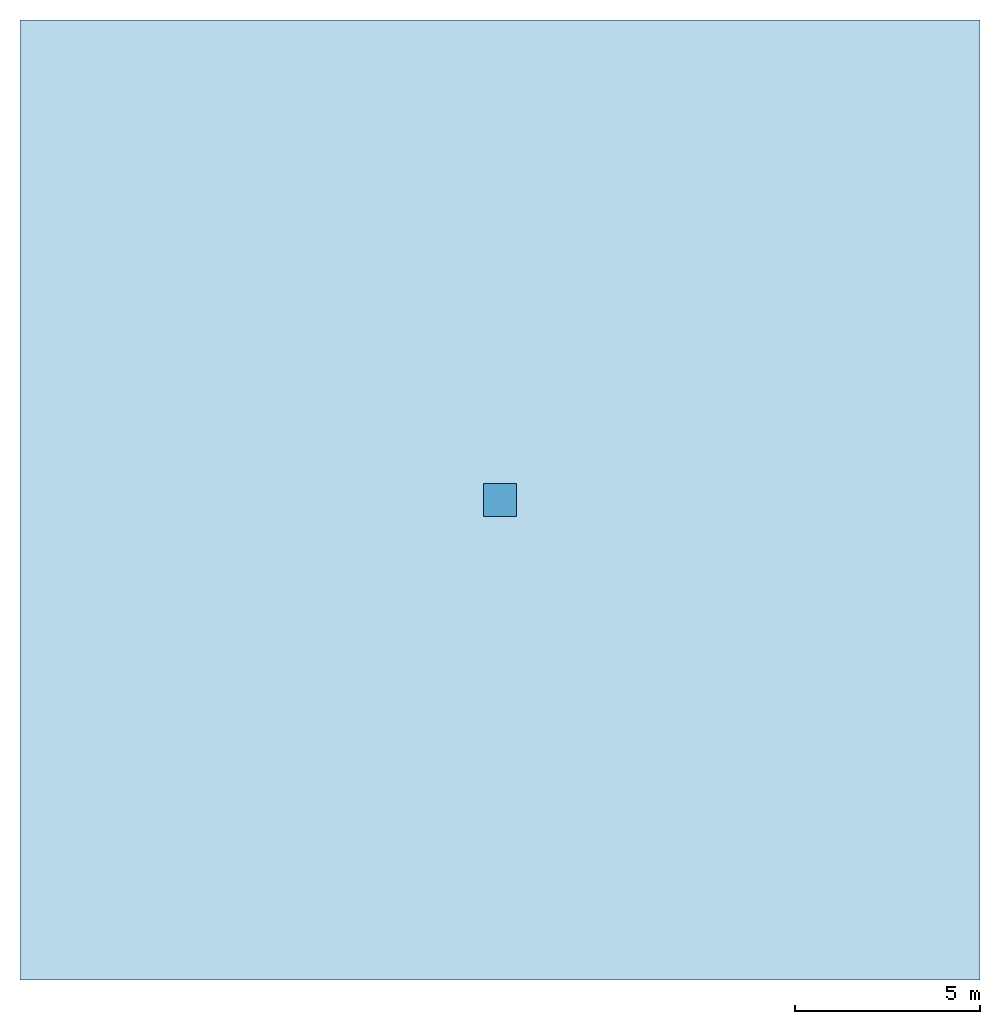
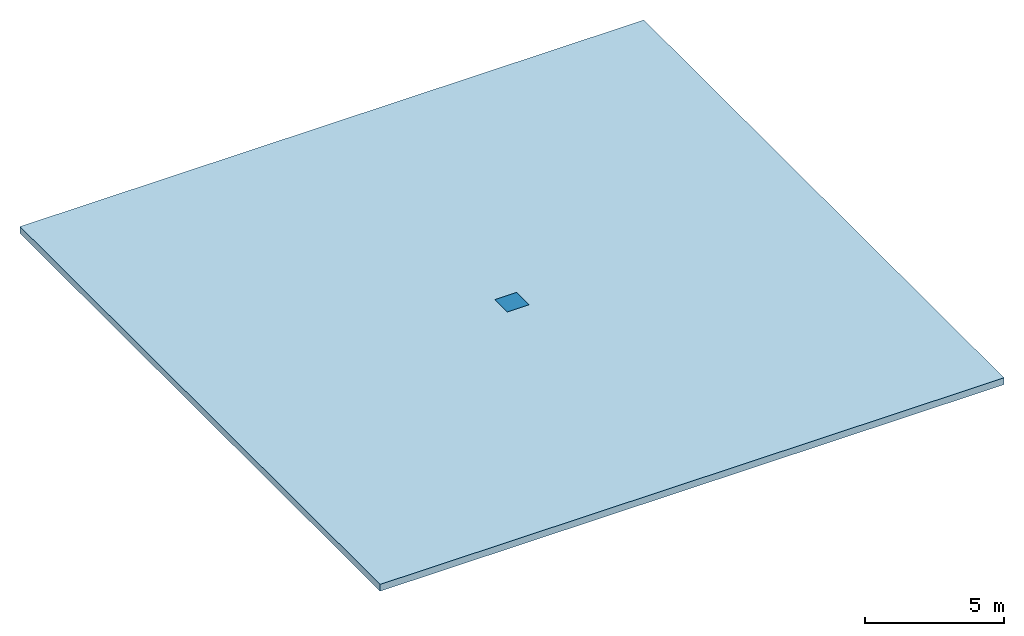
"""IFC4 building model written with IfcOpenShell, lengths in metres."""

from ifc_helpers import new_model, si_unit, direction, frame, origin, origin_2d, place, context, subcontext, project, spatial, polyline, rectangle, outline, extrude, material, layer, layer_set, type_object, element, fill, save


model = new_model("IFC4")

# Units and contexts
model_context = context("Model", 3, precision=1e-05, world=origin(), true_north=direction((0.0, 1.0)))
body_context = subcontext(model_context, "Body", "Model", "MODEL_VIEW")
ifc_project = project(units=[si_unit("LENGTHUNIT", "METRE"), si_unit("AREAUNIT", "SQUARE_METRE"), si_unit("VOLUMEUNIT", "CUBIC_METRE"), si_unit("PLANEANGLEUNIT", "RADIAN"), si_unit("MASSUNIT", "GRAM", prefix="KILO")], contexts=[model_context])

# Site, building, storey
site_placement = place(None, origin())
site = spatial("IfcSite", under=ifc_project, at=site_placement, CompositionType="ELEMENT")
building_placement = place(site_placement, origin())
building = spatial("IfcBuilding", under=site, at=building_placement, Name="Rekha Terrace Tower", CompositionType="ELEMENT")
storey_1_placement = place(building_placement, frame((0.0, 0.0, 302.449951171875)))
storey_1 = spatial("IfcBuildingStorey", under=building, at=storey_1_placement, Name="ROOF", CompositionType="ELEMENT", Elevation=302.449951171875)

# Slab, opening
ifc_material_1 = material(Name="Concrete M50", Category="concrete")
ifc_layer = layer(ifc_material_1, 0.300048828125)
ifc_layer_set = layer_set([ifc_layer], Name="Concrete M50")
slab_type = type_object("IfcSlabType", Name="CR1 300 crown roof slab", PredefinedType="ROOF", material=ifc_layer_set)
slab_placement = place(storey_1_placement, origin())
slab = element("IfcSlab", 1, at=slab_placement, inside=storey_1, type_object=slab_type, Name="Crown roof slab", PredefinedType="ROOF", context=body_context, shape_type="SweptSolid", body=[
    extrude(outline(polyline([(50.800048828125, 20.60009765625), (50.800048828125, 46.60009765625), (24.800048828125, 46.60009765625), (24.800048828125, 20.60009765625), (50.800048828125, 20.60009765625)])), origin(), (0.0, 0.0, 1.0), 0.300048828125),
])
opening_placement = place(slab_placement, frame((37.800048828125, 33.60009765625, 0.0)))
opening = element("IfcOpeningElement", 2, at=opening_placement, cuts=slab, Name="Opening RH1", PredefinedType="OPENING", context=body_context, shape_type="SweptSolid", body=[
    extrude(rectangle(XDim=0.89990234375, YDim=0.89990234375, at=origin_2d()), origin(), (0.0, 0.0, 1.0), 0.300048828125),
])

# Storey
storey_2_placement = place(building_placement, frame((0.0, 0.0, 296.75)))
storey_2 = spatial("IfcBuildingStorey", under=building, at=storey_2_placement, Name="L75", CompositionType="ELEMENT", Elevation=296.75)

# Discrete accessory
ifc_material_2 = material(Name="Insulated aluminium hatch", Category="aluminium")
discrete_accessory_type = type_object("IfcDiscreteAccessoryType", Name="RH1 900x900 roof access hatch", PredefinedType="USERDEFINED", material=ifc_material_2)
discrete_accessory_placement = place(opening_placement, frame((0.0, 0.0, 0.25)))
discrete_accessory = element("IfcDiscreteAccessory", 3, at=discrete_accessory_placement, inside=storey_2, type_object=discrete_accessory_type, Name="Crown roof access hatch", ObjectType="ROOF ACCESS HATCH", PredefinedType="USERDEFINED", context=body_context, shape_type="SweptSolid", body=[
    extrude(rectangle(XDim=0.89990234375, YDim=0.89990234375, at=origin_2d()), origin(), (0.0, 0.0, 1.0), 0.050048828125),
])

fill(opening, discrete_accessory)

save(model, "model.ifc")
